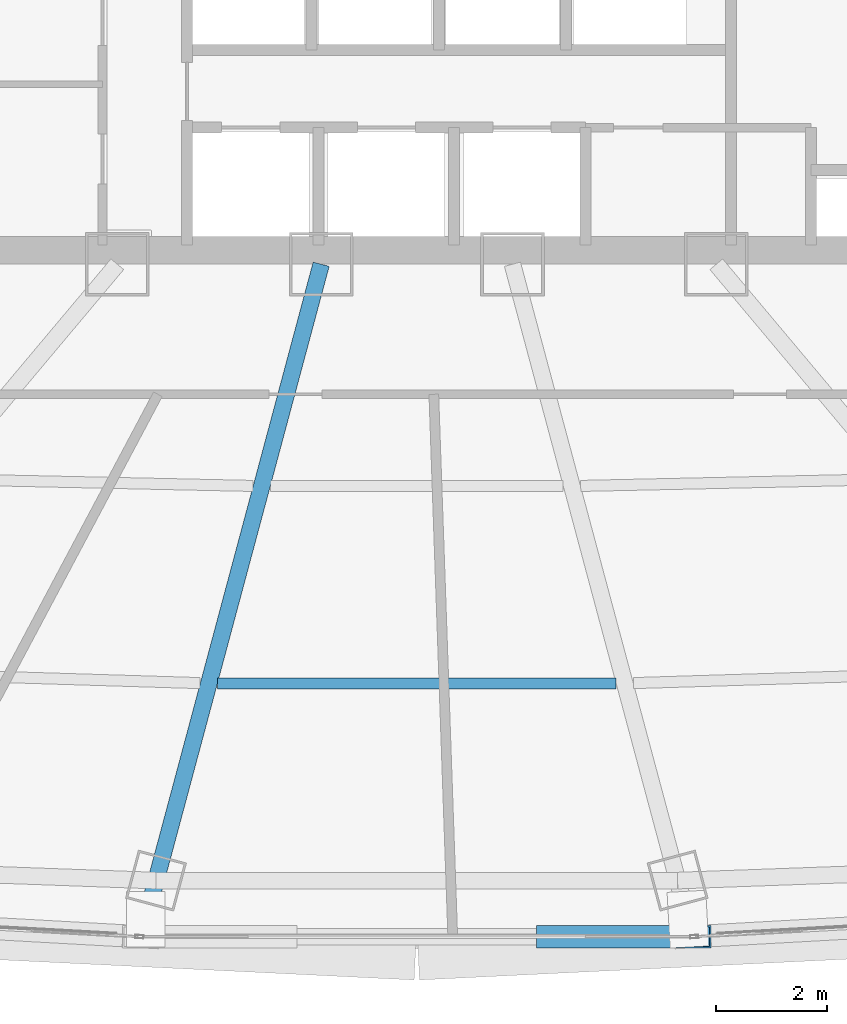
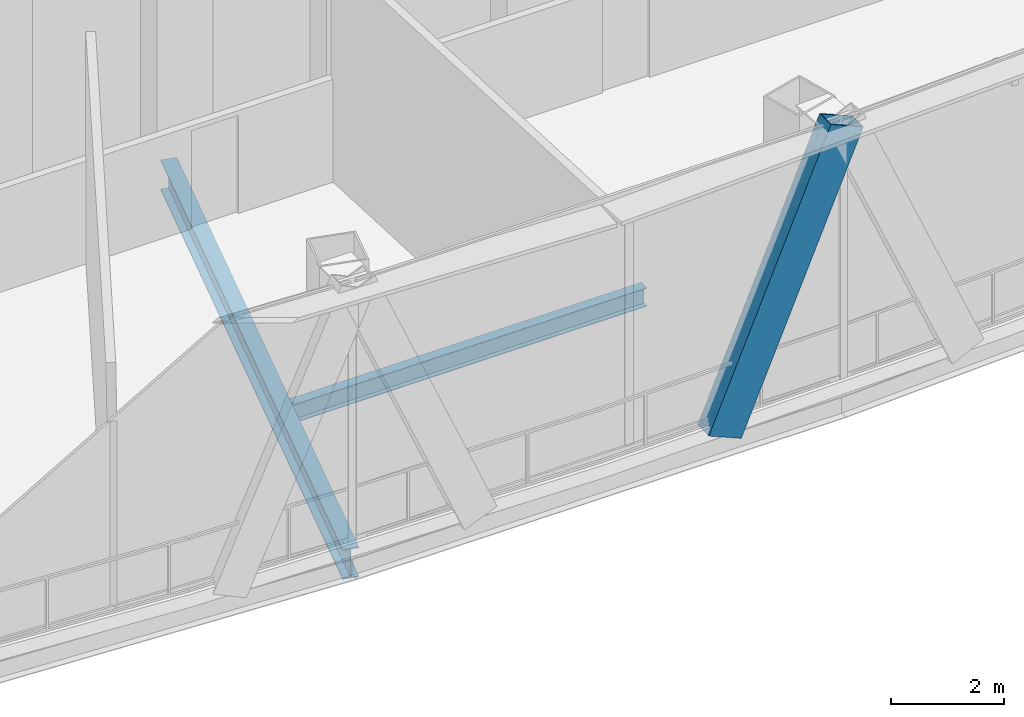
# One storey, part 11 of 38: 2 beams, 1 member.
"""IFC4 building model written with IfcOpenShell, lengths in metres."""

from ifc_helpers import new_model, si_unit, direction, frame, origin, origin_2d, place, context, subcontext, project, spatial, hollow_rectangle, i_section, extrude, source, transform, mapped, material, material_profile, profile_set, type_object, element, save


model = new_model("IFC4")

# Units and contexts
model_context = context("Model", 3, precision=1e-05, world=origin(), true_north=direction((0.0, 1.0)))
body_context = subcontext(model_context, "Body", "Model", "MODEL_VIEW")
ifc_project = project(units=[si_unit("LENGTHUNIT", "METRE"), si_unit("AREAUNIT", "SQUARE_METRE"), si_unit("VOLUMEUNIT", "CUBIC_METRE"), si_unit("PLANEANGLEUNIT", "RADIAN"), si_unit("MASSUNIT", "GRAM", prefix="KILO"), si_unit("THERMODYNAMICTEMPERATUREUNIT", "KELVIN"), si_unit("POWERUNIT", "WATT")], contexts=[model_context])

# Site, building, storey
site_placement = place(None, origin())
site = spatial("IfcSite", under=ifc_project, at=site_placement, CompositionType="ELEMENT")
building_placement = place(site_placement, origin())
building = spatial("IfcBuilding", under=site, at=building_placement, Name="Yunzhuo Pagoda Commons", CompositionType="ELEMENT")
storey_placement = place(building_placement, frame((0.0, 0.0, 218.9599609375)))
storey = spatial("IfcBuildingStorey", under=building, at=storey_placement, Name="L55", CompositionType="ELEMENT", Elevation=218.9599609375)

# Beams
ifc_material = material(Name="Structural steel Q355B", Category="steel")
ifc_material_profile_1 = material_profile(ifc_material, i_section(OverallWidth=0.199951171875, OverallDepth=0.39990234375, WebThickness=0.008056640625, FlangeThickness=0.012939453125, at=origin_2d()), Name="Structural steel Q355B")
ifc_profile_set_1 = profile_set([ifc_material_profile_1], Name="Structural steel Q355B")
beam_type_1 = type_object("IfcBeamType", Name="B-JS1 Joist HN 400x200x8x13", PredefinedType="JOIST", material=ifc_profile_set_1)
shared_shape_1 = source(origin(), body_context, "Body", "SweptSolid", [
    extrude(i_section(OverallWidth=0.199951171875, OverallDepth=0.39990234375, WebThickness=0.008056640625, FlangeThickness=0.012939453125, at=origin_2d()), origin(), (0.0, 0.0, 1.0), 7.197265625),
])
beam_1_placement = place(storey_placement, frame((44.4013671875, 19.676513671875, -0.479736328125), z_axis=(1.0, 0.0, 0.0), x_axis=(0.0, 1.0, 0.0)))
element("IfcBeam", 1, at=beam_1_placement, inside=storey, type_object=beam_type_1, Name="L55 composite ring joist 2.2", PredefinedType="JOIST", context=body_context, shape_type="MappedRepresentation", body=[
    mapped(shared_shape_1, transform((0.0, 0.0, 0.0), scale=1.0)),
])
ifc_material_profile_2 = material_profile(ifc_material, i_section(OverallWidth=0.300048828125, OverallDepth=0.64990234375, WebThickness=0.012939453125, FlangeThickness=0.02197265625, at=origin_2d()), Name="Structural steel Q355B")
ifc_profile_set_2 = profile_set([ifc_material_profile_2], Name="Structural steel Q355B")
beam_type_2 = type_object("IfcBeamType", Name="B-RG2 Beam HN 650x300x13x22", PredefinedType="BEAM", material=ifc_profile_set_2)
shared_shape_2 = source(origin(), body_context, "Body", "SweptSolid", [
    extrude(i_section(OverallWidth=0.300048828125, OverallDepth=0.64990234375, WebThickness=0.012939453125, FlangeThickness=0.02197265625, at=origin_2d()), origin(), (0.0, 0.0, 1.0), 12.42578125),
])
beam_2_placement = place(storey_placement, frame((43.0556640625, 15.247802734375, -0.604736328125), z_axis=(0.258843788525, 0.965919195969, 0.0), x_axis=(-0.965919195969, 0.258843788525, 0.0)))
element("IfcBeam", 2, at=beam_2_placement, inside=storey, type_object=beam_type_2, Name="L55 radial floor girder F1C2", PredefinedType="BEAM", context=body_context, shape_type="MappedRepresentation", body=[
    mapped(shared_shape_2, transform((0.0, 0.0, 0.0), scale=1.0)),
])

# Member
ifc_material_profile_3 = material_profile(ifc_material, hollow_rectangle(XDim=0.39990234375, YDim=0.719970703125, WallThickness=0.02392578125, at=origin_2d()), Name="Structural steel Q355B")
ifc_profile_set_3 = profile_set([ifc_material_profile_3], Name="Structural steel Q355B")
member_type = type_object("IfcMemberType", Name="M-DL2 Brace BOX 720x400x24", PredefinedType="BRACE", material=ifc_profile_set_3)
shared_shape_3 = source(origin(), body_context, "Body", "SweptSolid", [
    extrude(hollow_rectangle(XDim=0.39990234375, YDim=0.719970703125, WallThickness=0.02392578125, at=origin_2d()), origin(), (0.0, 0.0, 1.0), 6.358642578125),
])
member_placement = place(storey_placement, frame((50.492431640625, 15.097900390625, -0.280029296875), z_axis=(0.391893360094, 0.0, 0.920010649022), x_axis=(0.0, 1.0, 0.0)))
element("IfcMember", 3, at=member_placement, inside=storey, type_object=member_type, Name="L55 facade diamond brace F1.2R", PredefinedType="BRACE", context=body_context, shape_type="MappedRepresentation", body=[
    mapped(shared_shape_3, transform((0.0, 0.0, 0.0), scale=1.0)),
])

save(model, "model.ifc")
